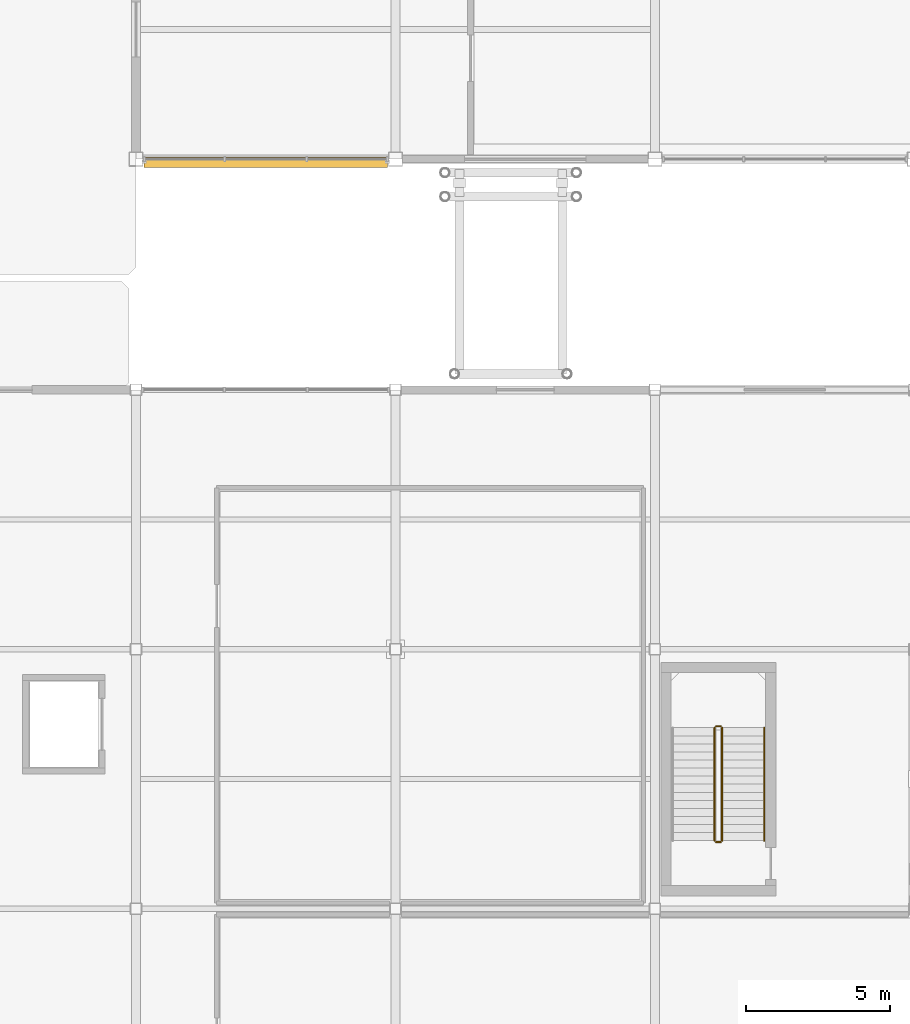
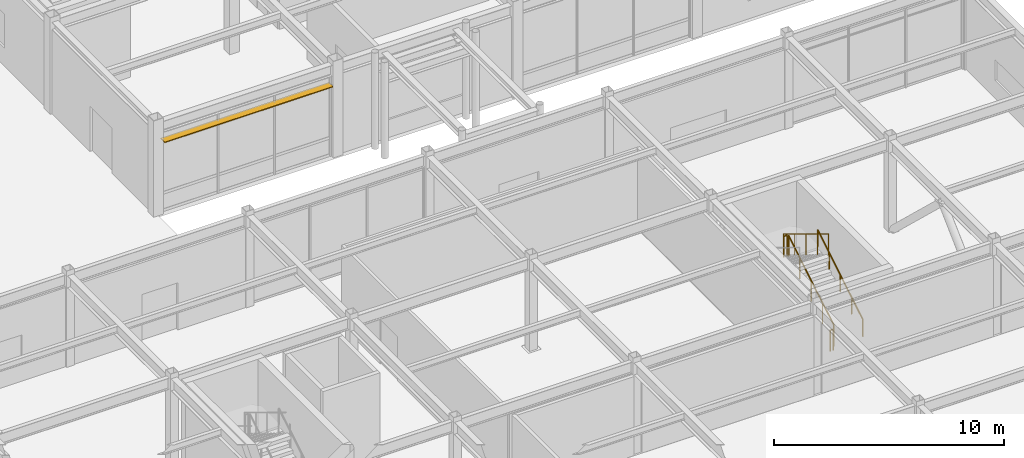
# One storey, part 118 of 123: 5 railings, 1 shading device.
"""IFC4 building model written with IfcOpenShell, lengths in metres."""

from ifc_helpers import new_model, si_unit, direction, frame, origin, origin_2d, place, context, subcontext, project, spatial, rectangle, circle, extrude, material, material_profile, profile_set, type_object, element, save


model = new_model("IFC4")

# Units and contexts
model_context = context("Model", 3, precision=1e-05, world=origin(), true_north=direction((0.0, 1.0)))
body_context = subcontext(model_context, "Body", "Model", "MODEL_VIEW")
ifc_project = project(units=[si_unit("LENGTHUNIT", "METRE"), si_unit("AREAUNIT", "SQUARE_METRE"), si_unit("VOLUMEUNIT", "CUBIC_METRE"), si_unit("PLANEANGLEUNIT", "RADIAN"), si_unit("MASSUNIT", "GRAM", prefix="KILO")], contexts=[model_context])

# Site, building, storey
site_placement = place(None, origin())
site = spatial("IfcSite", under=ifc_project, at=site_placement, CompositionType="ELEMENT")
building_placement = place(site_placement, origin())
building = spatial("IfcBuilding", under=site, at=building_placement, Name="Suzunagisa Mobility Hub", CompositionType="ELEMENT")
storey_placement = place(building_placement, origin())
storey = spatial("IfcBuildingStorey", under=building, at=storey_placement, Name="L00", CompositionType="ELEMENT", Elevation=0.0)

# Railings
ifc_material_1 = material(Name="Stainless Steel SUS304", Category="metal")
railing_type_1 = type_object("IfcRailingType", Name="Interior Well Guardrail IGR-01", PredefinedType="GUARDRAIL", material=ifc_material_1)
railing_1_placement = place(storey_placement, frame((164.330078125, 20.360107421875, 0.169921875)))
element("IfcRailing", 1, at=railing_1_placement, inside=storey, type_object=railing_type_1, Name="L00 ST-10 stair guard 1", PredefinedType="GUARDRAIL", context=body_context, shape_type="SweptSolid", body=[
    extrude(circle(Radius=0.02392578125, at=origin_2d()), frame((0.0, 0.0, 1.09619140625), z_axis=(0.0, 0.854770645689, 0.519005918337), x_axis=(-1.0, 0.0, 0.0)), (0.0, 0.0, 1.0), 4.5859375),
    extrude(circle(Radius=0.02099609375, at=origin_2d()), origin(), (0.0, 0.0, 1.0), 1.072021484375),
    extrude(circle(Radius=0.02099609375, at=origin_2d()), frame((0.0, 0.97998046875, 0.594970703125)), (0.0, 0.0, 1.0), 1.072021484375),
    extrude(circle(Radius=0.02099609375, at=origin_2d()), frame((0.0, 1.9599609375, 1.18994140625)), (0.0, 0.0, 1.0), 1.072021484375),
    extrude(circle(Radius=0.02099609375, at=origin_2d()), frame((0.0, 2.93994140625, 1.78515625)), (0.0, 0.0, 1.0), 1.072021484375),
    extrude(circle(Radius=0.02099609375, at=origin_2d()), frame((0.0, 3.919921875, 2.380126953125)), (0.0, 0.0, 1.0), 1.072021484375),
])
railing_2_placement = place(storey_placement, frame((164.280029296875, 24.330078125, 2.550048828125)))
element("IfcRailing", 2, at=railing_2_placement, inside=storey, type_object=railing_type_1, Name="L00 ST-10 stair guard 2", PredefinedType="GUARDRAIL", context=body_context, shape_type="SweptSolid", body=[
    extrude(circle(Radius=0.02392578125, at=origin_2d()), frame((0.0, 0.0, 1.09619140625), z_axis=(-1.0, 0.0, 0.0), x_axis=(0.0, -1.0, 0.0)), (0.0, 0.0, 1.0), 0.159912109375),
    extrude(circle(Radius=0.02099609375, at=origin_2d()), origin(), (0.0, 0.0, 1.0), 1.072021484375),
    extrude(circle(Radius=0.02099609375, at=origin_2d()), frame((-0.159912109375, 0.0, 0.0)), (0.0, 0.0, 1.0), 1.072021484375),
])
railing_3_placement = place(storey_placement, frame((164.070068359375, 24.280029296875, 2.719970703125)))
element("IfcRailing", 3, at=railing_3_placement, inside=storey, type_object=railing_type_1, Name="L00 ST-10 stair guard 3", PredefinedType="GUARDRAIL", context=body_context, shape_type="SweptSolid", body=[
    extrude(circle(Radius=0.02392578125, at=origin_2d()), frame((0.0, 0.0, 1.09619140625), z_axis=(0.0, -0.854770645689, 0.519005918337), x_axis=(1.0, 0.0, 0.0)), (0.0, 0.0, 1.0), 4.5859375),
    extrude(circle(Radius=0.02099609375, at=origin_2d()), origin(), (0.0, 0.0, 1.0), 1.072021484375),
    extrude(circle(Radius=0.02099609375, at=origin_2d()), frame((0.0, -0.97998046875, 0.594970703125)), (0.0, 0.0, 1.0), 1.072021484375),
    extrude(circle(Radius=0.02099609375, at=origin_2d()), frame((0.0, -1.9599609375, 1.18994140625)), (0.0, 0.0, 1.0), 1.072021484375),
    extrude(circle(Radius=0.02099609375, at=origin_2d()), frame((0.0, -2.93994140625, 1.78515625)), (0.0, 0.0, 1.0), 1.072021484375),
    extrude(circle(Radius=0.02099609375, at=origin_2d()), frame((0.0, -3.919921875, 2.380126953125)), (0.0, 0.0, 1.0), 1.072021484375),
])
railing_4_placement = place(storey_placement, frame((164.280029296875, 20.31005859375, 0.0)))
element("IfcRailing", 4, at=railing_4_placement, inside=storey, type_object=railing_type_1, Name="L00 ST-10 stair guard 4", PredefinedType="GUARDRAIL", context=body_context, shape_type="SweptSolid", body=[
    extrude(circle(Radius=0.02392578125, at=origin_2d()), frame((0.0, 0.0, 1.09619140625), z_axis=(-1.0, 0.0, 0.0), x_axis=(0.0, -1.0, 0.0)), (0.0, 0.0, 1.0), 0.159912109375),
    extrude(circle(Radius=0.02099609375, at=origin_2d()), origin(), (0.0, 0.0, 1.0), 1.072021484375),
    extrude(circle(Radius=0.02099609375, at=origin_2d()), frame((-0.159912109375, 0.0, 0.0)), (0.0, 0.0, 1.0), 1.072021484375),
])

# Shading device
ifc_material_2 = material(Name="Fluoropolymer-Coated Extruded Aluminum 6063-T5", Category="aluminium")
ifc_material_profile = material_profile(ifc_material_2, rectangle(XDim=0.360107421875, YDim=0.050048828125, at=origin_2d()), Name="FIN-360x50")
ifc_profile_set = profile_set([ifc_material_profile], Name="Fluoropolymer-Coated Extruded Aluminum 6063-T5")
shading_device_type = type_object("IfcShadingDeviceType", Name="Streamline Aluminum Sunshade SF-04 FIN-360x50", PredefinedType="USERDEFINED", material=ifc_profile_set)
shading_device_placement = place(storey_placement, frame((144.282470703125, 43.889892578125, 3.802001953125), z_axis=(1.0, 0.0, 0.0), x_axis=(0.0, 1.0, 0.0)))
element("IfcShadingDevice", 5, at=shading_device_placement, inside=storey, type_object=shading_device_type, Name="L00 Streamline Speed-Rail Sunshade Fin SF-36", ObjectType="SUNSHADE FIN", PredefinedType="USERDEFINED", context=body_context, shape_type="SweptSolid", body=[
    extrude(rectangle(XDim=0.360107421875, YDim=0.050048828125, at=origin_2d()), origin(), (0.0, 0.0, 1.0), 8.43505859375),
])

# Railing
railing_type_2 = type_object("IfcRailingType", Name="Tubular Stainless Stair Handrail IHR-01", PredefinedType="HANDRAIL", material=ifc_material_1)
railing_5_placement = place(storey_placement, frame((165.7900390625, 20.360107421875, 0.169921875)))
element("IfcRailing", 6, at=railing_5_placement, inside=storey, type_object=railing_type_2, Name="L00 ST-10 stair handrail 1", PredefinedType="HANDRAIL", context=body_context, shape_type="SweptSolid", body=[
    extrude(circle(Radius=0.02392578125, at=origin_2d()), frame((0.0, 0.0, 0.8759765625), z_axis=(0.0, 0.854770645689, 0.519005918337), x_axis=(-1.0, 0.0, 0.0)), (0.0, 0.0, 1.0), 4.5859375),
    extrude(circle(Radius=0.02099609375, at=origin_2d()), origin(), (0.0, 0.0, 1.0), 0.851806640625),
    extrude(circle(Radius=0.02099609375, at=origin_2d()), frame((0.0, 0.97998046875, 0.594970703125)), (0.0, 0.0, 1.0), 0.851806640625),
    extrude(circle(Radius=0.02099609375, at=origin_2d()), frame((0.0, 1.9599609375, 1.18994140625)), (0.0, 0.0, 1.0), 0.851806640625),
    extrude(circle(Radius=0.02099609375, at=origin_2d()), frame((0.0, 2.93994140625, 1.78515625)), (0.0, 0.0, 1.0), 0.851806640625),
    extrude(circle(Radius=0.02099609375, at=origin_2d()), frame((0.0, 3.919921875, 2.380126953125)), (0.0, 0.0, 1.0), 0.851806640625),
])

save(model, "model.ifc")
